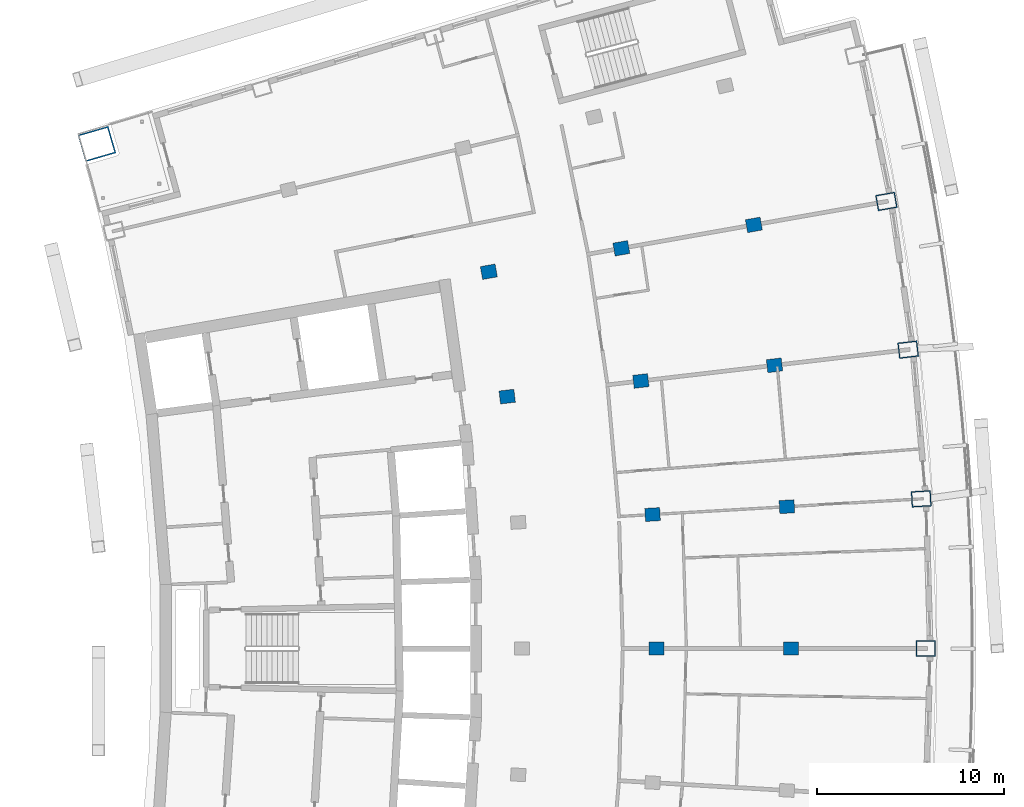
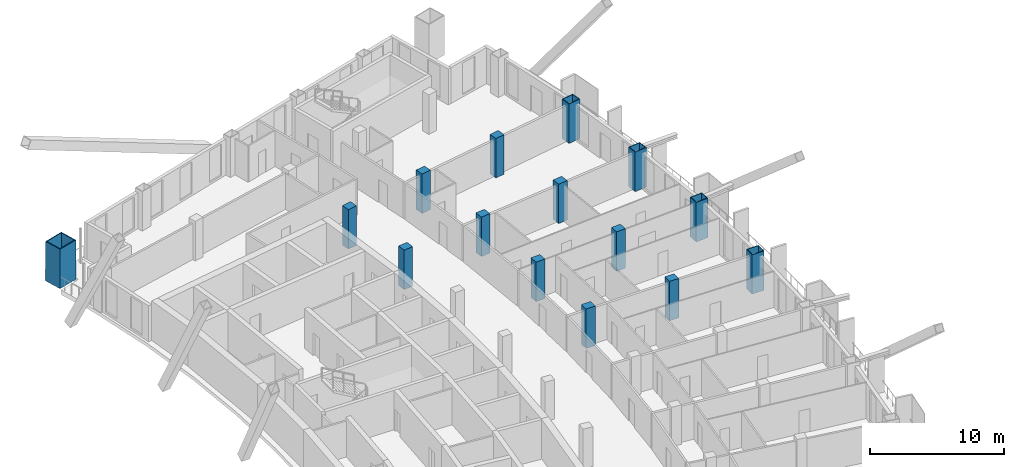
# One storey, part 6 of 19: 15 columns.
"""IFC4 building model written with IfcOpenShell, lengths in metres."""

from ifc_helpers import new_model, si_unit, direction, frame, origin, origin_2d, place, context, subcontext, project, spatial, rectangle, hollow_rectangle, extrude, material, material_profile, profile_set, type_object, element, save


model = new_model("IFC4")

# Units and contexts
model_context = context("Model", 3, precision=1e-05, world=origin(), true_north=direction((0.0, 1.0)))
body_context = subcontext(model_context, "Body", "Model", "MODEL_VIEW")
ifc_project = project(units=[si_unit("LENGTHUNIT", "METRE"), si_unit("AREAUNIT", "SQUARE_METRE"), si_unit("VOLUMEUNIT", "CUBIC_METRE"), si_unit("PLANEANGLEUNIT", "RADIAN"), si_unit("MASSUNIT", "GRAM", prefix="KILO")], contexts=[model_context])

# Site, building, storey
site_placement = place(None, origin())
site = spatial("IfcSite", under=ifc_project, at=site_placement, CompositionType="ELEMENT")
building_placement = place(site_placement, origin())
building = spatial("IfcBuilding", under=site, at=building_placement, Name="Alderwake Tower", CompositionType="ELEMENT")
storey_placement = place(building_placement, frame((0.0, 0.0, 221.60009765625)))
storey = spatial("IfcBuildingStorey", under=building, at=storey_placement, Name="L55", CompositionType="ELEMENT", Elevation=221.60009765625)

# Columns
ifc_material_1 = material(Name="Concrete C70/85", Category="concrete")
ifc_material_profile_1 = material_profile(ifc_material_1, rectangle(XDim=0.699951171875, YDim=0.800048828125, at=origin_2d()), Name="RC 800X700")
ifc_profile_set_1 = profile_set([ifc_material_profile_1], Name="Concrete C70/85")
column_type_1 = type_object("IfcColumnType", Name="Interior column Z4", PredefinedType="COLUMN", material=ifc_profile_set_1)
for number, where, z_axis, x_axis, name in (
    (1, (43.0, 61.0, 0.0), (0.0, 0.0, 1.0), (0.0, 1.0, 0.0), "Column R07-C3"),
    (2, (50.199951171875, 61.0, 0.0), (0.0, 0.0, 1.0), (0.0, 1.0, 0.0), "Column R07-C4"),
    (3, (42.790771484375, 68.1708984375, 0.0), (0.0, 0.0, 1.0), (-0.058299318924, 0.998299148258, 0.0), "Column R08-C3"),
    (4, (49.978515625, 68.5908203125, 0.0), (0.0, 0.0, 1.0), (-0.058301061284, 0.998299046505, 0.0), "Column R08-C4"),
    (5, (35.0126953125, 74.4794921875, 0.0), (0.0, 0.0, 1.0), (-0.116402054316, 0.993202175668, 0.0), "Column R09-C2"),
    (6, (42.163818359375, 75.3173828125, 0.0), (0.0, 0.0, 1.0), (-0.116402054316, 0.993202175668, 0.0), "Column R09-C3"),
    (7, (49.31494140625, 76.155517578125, 0.0), (0.0, 0.0, 1.0), (-0.116402054316, 0.993202175668, 0.0), "Column R09-C4"),
    (8, (34.03125, 81.16162109375, 0.0), (0.0, 0.0, 1.0), (-0.174108800747, 0.984726421654, 0.0), "Column R10-C2"),
    (9, (41.121337890625, 82.415283203125, 0.0), (0.0, 0.0, 1.0), (-0.174108800747, 0.984726421654, 0.0), "Column R10-C3"),
    (10, (48.21142578125, 83.6689453125, 0.0), (0.0, 0.0, 1.0), (-0.174108800747, 0.984726421654, 0.0), "Column R10-C4"),
):
    element("IfcColumn", number, at=place(storey_placement, frame(where, z_axis=z_axis, x_axis=x_axis)), inside=storey, type_object=column_type_1, Name=name, PredefinedType="COLUMN", context=body_context, shape_type="SweptSolid", body=[
        extrude(rectangle(XDim=0.699951171875, YDim=0.800048828125, at=origin_2d()), origin(), (0.0, 0.0, 1.0), 3.599853515625),
    ])
ifc_material_2 = material(Name="Steel ASTM A572 Grade 50 concrete filled C70/85", Category="concrete")
ifc_material_profile_2 = material_profile(ifc_material_2, hollow_rectangle(XDim=1.5, YDim=1.699951171875, WallThickness=0.074951171875, at=origin_2d()), Name="BOX 1700X1500X75")
ifc_profile_set_2 = profile_set([ifc_material_profile_2], Name="Steel ASTM A572 Grade 50 concrete filled C70/85")
column_type_2 = type_object("IfcColumnType", Name="Mega column Z4", PredefinedType="COLUMN", material=ifc_profile_set_2)
column_placement = place(storey_placement, frame((13.06298828125, 87.99755859375, 0.0), z_axis=(0.0, 0.0, 1.0), x_axis=(-0.278612301868, 0.960403657452, 0.0)))
element("IfcColumn", 11, at=column_placement, inside=storey, type_object=column_type_2, Name="Column R12-C0", PredefinedType="COLUMN", context=body_context, shape_type="SweptSolid", body=[
    extrude(hollow_rectangle(XDim=1.5, YDim=1.699951171875, WallThickness=0.074951171875, at=origin_2d()), origin(), (0.0, 0.0, 1.0), 3.599853515625),
])
ifc_material_3 = material(Name="Steel ASTM A572 Grade 50 concrete filled C70/85", Category="concrete")
ifc_material_profile_3 = material_profile(ifc_material_3, hollow_rectangle(XDim=0.85009765625, YDim=1.050048828125, WallThickness=0.054931640625, at=origin_2d()), Name="BOX 1050X850X55")
ifc_profile_set_3 = profile_set([ifc_material_profile_3], Name="Steel ASTM A572 Grade 50 concrete filled C70/85")
column_type_3 = type_object("IfcColumnType", Name="Perimeter column Z4", PredefinedType="COLUMN", material=ifc_profile_set_3)
for number, where, z_axis, x_axis, name in (
    (12, (57.39990234375, 61.0, 0.0), (0.0, 0.0, 1.0), (0.0, 1.0, 0.0), "Column R07-C5"),
    (13, (57.166259765625, 69.010498046875, 0.0), (0.0, 0.0, 1.0), (-0.058301061284, 0.998299046505, 0.0), "Column R08-C5"),
    (14, (56.466064453125, 76.99365234375, 0.0), (0.0, 0.0, 1.0), (-0.116402054316, 0.993202175668, 0.0), "Column R09-C5"),
    (15, (55.301513671875, 84.922607421875, 0.0), (0.0, 0.0, 1.0), (-0.174108800747, 0.984726421654, 0.0), "Column R10-C5"),
):
    element("IfcColumn", number, at=place(storey_placement, frame(where, z_axis=z_axis, x_axis=x_axis)), inside=storey, type_object=column_type_3, Name=name, PredefinedType="COLUMN", context=body_context, shape_type="SweptSolid", body=[
        extrude(hollow_rectangle(XDim=0.85009765625, YDim=1.050048828125, WallThickness=0.054931640625, at=origin_2d()), origin(), (0.0, 0.0, 1.0), 3.599853515625),
    ])

save(model, "model.ifc")
